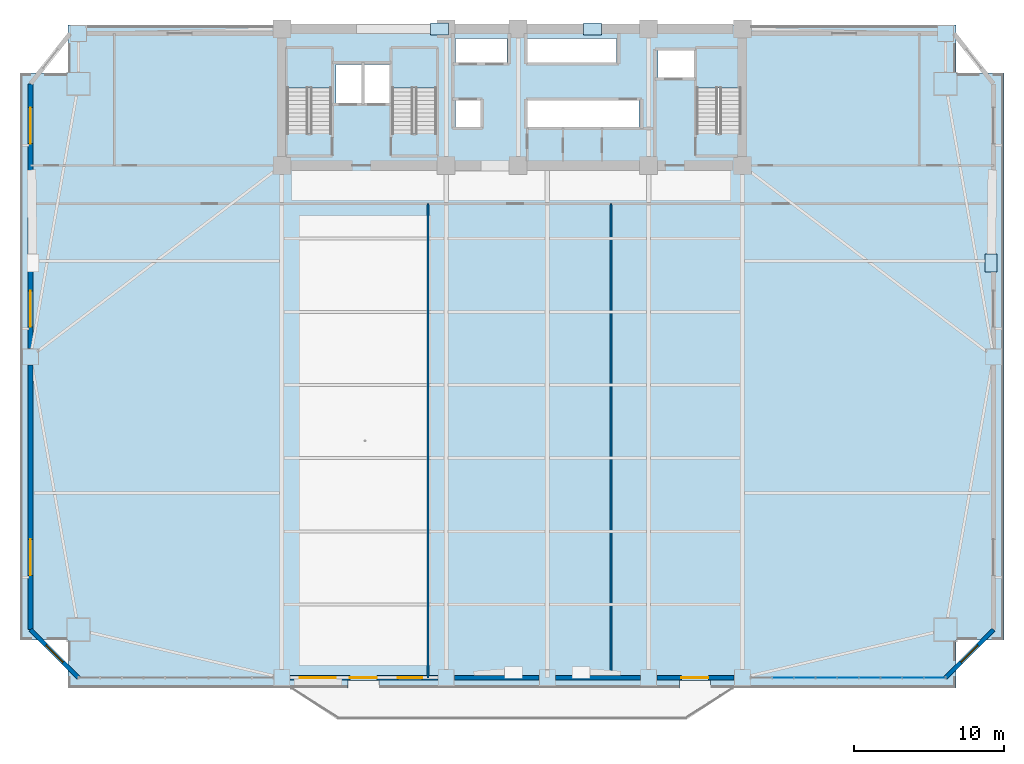
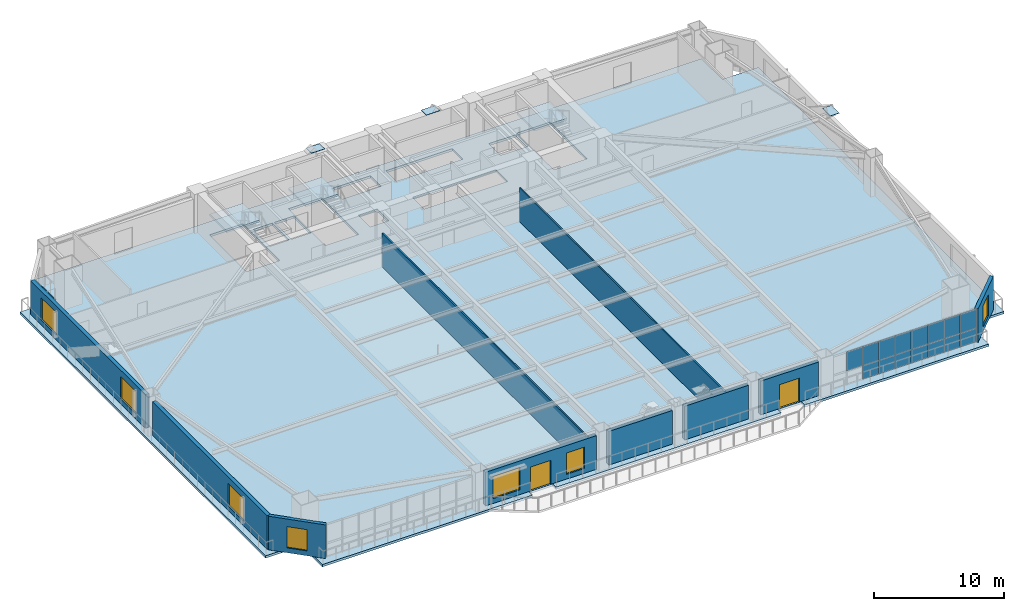
# One storey, part 8 of 17: 18 plates, 10 walls, 7 windows, 4 slabs, 2 doors, 9 openings, 4 elements without a shape of their own.
"""IFC4 building model written with IfcOpenShell, lengths in metres."""

from ifc_helpers import new_model, si_unit, direction, frame, frame_2d, origin, origin_2d, place, context, subcontext, project, spatial, polyline, rectangle, outline, extrude, source, transform, mapped, material, layer, layer_set, type_object, element, fill, aggregate, save


model = new_model("IFC4")

# Units and contexts
model_context = context("Model", 3, precision=1e-05, world=origin(), true_north=direction((0.0, 1.0)))
body_context = subcontext(model_context, "Body", "Model", "MODEL_VIEW")
ifc_project = project(units=[si_unit("LENGTHUNIT", "METRE"), si_unit("AREAUNIT", "SQUARE_METRE"), si_unit("VOLUMEUNIT", "CUBIC_METRE"), si_unit("PLANEANGLEUNIT", "RADIAN"), si_unit("MASSUNIT", "GRAM", prefix="KILO")], contexts=[model_context])

# Site, building, storey
site_placement = place(None, origin())
site = spatial("IfcSite", under=ifc_project, at=site_placement, CompositionType="ELEMENT")
building_placement = place(site_placement, origin())
building = spatial("IfcBuilding", under=site, at=building_placement, Name="Giltprow Tower", CompositionType="ELEMENT")
storey_placement = place(building_placement, frame((0.0, 0.0, 29.300048828125)))
storey = spatial("IfcBuildingStorey", under=building, at=storey_placement, Name="L07", CompositionType="ELEMENT", Elevation=29.300048828125)

# Slab
ifc_material_1 = material(Name="Concrete C40", Category="concrete")
ifc_layer_1 = layer(ifc_material_1, 0.219970703125, Name="Concrete C40")
ifc_layer_set_1 = layer_set([ifc_layer_1], Name="Concrete C40")
slab_type_1 = type_object("IfcSlabType", Name="SLB-OFF-220", PredefinedType="FLOOR", material=ifc_layer_set_1)
slab_1_placement = place(storey_placement, frame((0.0, 0.0, -0.219970703125)))
element("IfcSlab", 1, at=slab_1_placement, inside=storey, type_object=slab_type_1, Name="L07 Structural Composite Floor Slab", PredefinedType="FLOOR", context=body_context, shape_type="SweptSolid", body=[
    extrude(outline(polyline([(5.60009765625, 2.60009765625), (5.60009765625, 5.800048828125), (2.39990234375, 5.800048828125), (2.39990234375, 43.60009765625), (5.60009765625, 43.60009765625), (5.60009765625, 46.800048828125), (64.800048828125, 46.800048828125), (64.800048828125, 43.60009765625), (68.0, 43.60009765625), (68.0, 5.800048828125), (64.800048828125, 5.800048828125), (64.800048828125, 2.60009765625), (48.449951171875, 2.60009765625), (48.449951171875, 3.1201171875), (46.35009765625, 3.1201171875), (46.35009765625, 2.60009765625), (26.35009765625, 2.60009765625), (26.35009765625, 3.1201171875), (24.25, 3.1201171875), (24.25, 2.60009765625), (5.60009765625, 2.60009765625)]), holes=[polyline([(33.10009765625, 41.800048828125), (31.419921875, 41.800048828125), (31.419921875, 40.0), (33.10009765625, 40.0), (33.10009765625, 41.800048828125)]), polyline([(23.159912109375, 39.570068359375), (23.159912109375, 45.25), (20.199951171875, 45.25), (20.199951171875, 39.570068359375), (23.159912109375, 39.570068359375)]), polyline([(30.159912109375, 45.25), (27.199951171875, 45.25), (27.199951171875, 39.570068359375), (30.159912109375, 39.570068359375), (30.159912109375, 45.25)]), polyline([(25.169921875, 41.60009765625), (25.169921875, 44.199951171875), (23.449951171875, 44.199951171875), (23.449951171875, 41.60009765625), (25.169921875, 41.60009765625)]), polyline([(27.10009765625, 41.60009765625), (27.10009765625, 44.199951171875), (25.35009765625, 44.199951171875), (25.35009765625, 41.60009765625), (27.10009765625, 41.60009765625)]), polyline([(43.659912109375, 40.0), (43.659912109375, 41.800048828125), (36.239990234375, 41.800048828125), (36.239990234375, 40.0), (43.659912109375, 40.0)]), polyline([(50.4599609375, 39.570068359375), (50.4599609375, 45.25), (47.5, 45.25), (47.5, 39.570068359375), (50.4599609375, 39.570068359375)]), polyline([(47.3798828125, 45.10009765625), (44.919921875, 45.10009765625), (44.919921875, 43.300048828125), (47.3798828125, 43.300048828125), (47.3798828125, 45.10009765625)]), polyline([(34.8798828125, 44.300048828125), (34.8798828125, 45.919921875), (31.419921875, 45.919921875), (31.419921875, 44.300048828125), (34.8798828125, 44.300048828125)]), polyline([(42.169921875, 44.300048828125), (42.169921875, 45.919921875), (36.239990234375, 45.919921875), (36.239990234375, 44.300048828125), (42.169921875, 44.300048828125)])]), origin(), (0.0, 0.0, 1.0), 0.219970703125),
])

# Stair, slab
stair_type_1 = type_object("IfcStairType", Name="STR-ST-1", PredefinedType="HALF_TURN_STAIR", material=ifc_material_1)
stair_1_placement = place(storey_placement, origin())
stair_1 = element("IfcStair", 2, at=stair_1_placement, inside=storey, type_object=stair_type_1, Name="L07 Core Exit Stair ST-1", PredefinedType="HALF_TURN_STAIR")
ifc_layer_2 = layer(ifc_material_1, 0.179931640625, Name="Concrete C40")
ifc_layer_set_2 = layer_set([ifc_layer_2], Name="Concrete C40")
slab_type_2 = type_object("IfcSlabType", Name="SLD-ST-1", PredefinedType="LANDING", material=ifc_layer_set_2)
slab_2_placement = place(storey_placement, frame((0.0, 0.0, 1.77001953125)))
slab_2 = element("IfcSlab", 3, at=slab_2_placement, type_object=slab_type_2, Name="ST-1 landing 1", PredefinedType="LANDING", context=body_context, shape_type="SweptSolid", body=[
    extrude(outline(polyline([(23.159912109375, 42.6298828125), (23.159912109375, 45.25), (20.199951171875, 45.25), (20.199951171875, 42.6298828125), (23.159912109375, 42.6298828125)])), origin(), (0.0, 0.0, 1.0), 0.179931640625),
])
aggregate(stair_1, [slab_2])

stair_type_2 = type_object("IfcStairType", Name="STR-ST-2", PredefinedType="HALF_TURN_STAIR", material=ifc_material_1)
stair_2_placement = place(storey_placement, origin())
stair_2 = element("IfcStair", 4, at=stair_2_placement, inside=storey, type_object=stair_type_2, Name="L07 Core Exit Stair ST-2", PredefinedType="HALF_TURN_STAIR")
ifc_layer_3 = layer(ifc_material_1, 0.18798828125, Name="Concrete C40")
ifc_layer_set_3 = layer_set([ifc_layer_3], Name="Concrete C40")
slab_type_3 = type_object("IfcSlabType", Name="SLD-ST-2", PredefinedType="LANDING", material=ifc_layer_set_3)
slab_3_placement = place(storey_placement, frame((0.0, 0.0, 1.761962890625)))
slab_3 = element("IfcSlab", 5, at=slab_3_placement, type_object=slab_type_3, Name="ST-2 landing 1", PredefinedType="LANDING", context=body_context, shape_type="SweptSolid", body=[
    extrude(outline(polyline([(30.159912109375, 42.6298828125), (30.159912109375, 45.25), (27.199951171875, 45.25), (27.199951171875, 42.6298828125), (30.159912109375, 42.6298828125)])), origin(), (0.0, 0.0, 1.0), 0.18798828125),
])
aggregate(stair_2, [slab_3])

stair_type_3 = type_object("IfcStairType", Name="STR-ST-3", PredefinedType="HALF_TURN_STAIR", material=ifc_material_1)
stair_3_placement = place(storey_placement, origin())
stair_3 = element("IfcStair", 6, at=stair_3_placement, inside=storey, type_object=stair_type_3, Name="L07 Core Exit Stair ST-3", PredefinedType="HALF_TURN_STAIR")
ifc_layer_4 = layer(ifc_material_1, 0.196044921875, Name="Concrete C40")
ifc_layer_set_4 = layer_set([ifc_layer_4], Name="Concrete C40")
slab_type_4 = type_object("IfcSlabType", Name="SLD-ST-3", PredefinedType="LANDING", material=ifc_layer_set_4)
slab_4_placement = place(storey_placement, frame((0.0, 0.0, 1.75390625)))
slab_4 = element("IfcSlab", 7, at=slab_4_placement, type_object=slab_type_4, Name="ST-3 landing 1", PredefinedType="LANDING", context=body_context, shape_type="SweptSolid", body=[
    extrude(outline(polyline([(50.4599609375, 42.6298828125), (50.4599609375, 45.25), (47.5, 45.25), (47.5, 42.6298828125), (50.4599609375, 42.6298828125)])), origin(), (0.0, 0.0, 1.0), 0.196044921875),
])
aggregate(stair_3, [slab_4])

# Plates
ifc_material_2 = material(Name="Structural steel Q420GJC", Category="steel")
plate_type_1 = type_object("IfcPlateType", Name="PLT-CAP-SEAL", PredefinedType="USERDEFINED", material=ifc_material_2)
shared_shape_1 = source(origin(), body_context, "Body", "SweptSolid", [
    extrude(rectangle(XDim=1.199951171875, YDim=0.800048828125, at=origin_2d()), origin(), (0.0, 0.0, 1.0), 0.034912109375),
])
for number, where, z_axis, x_axis, name in (
    (8, (30.35009765625, 46.550048828125, 3.74267578125), (0.0, 0.0, 1.0), (1.0, 0.0, 0.0), "Mega-Brace Node L07-N-LB"),
    (9, (40.5830078125, 46.550048828125, 3.74267578125), (0.0, 0.0, 1.0), (1.0, 0.0, 0.0), "Mega-Brace Node L07-N-RB"),
    (10, (67.14306640625, 30.94189453125, 3.88232421875), (0.0, 0.0, 1.0), (0.0, 1.0, 0.0), "Mega-Brace Node L07-E-RB"),
):
    element("IfcPlate", number, at=place(storey_placement, frame(where, z_axis=z_axis, x_axis=x_axis)), inside=storey, type_object=plate_type_1, Name=name, ObjectType="SPLICE", PredefinedType="USERDEFINED", context=body_context, shape_type="MappedRepresentation", body=[
        mapped(shared_shape_1, transform((0.0, 0.0, 0.0), x_axis=(1.0, 0.0, 0.0), y_axis=(0.0, 1.0, 0.0), z_axis=(0.0, 0.0, 1.0), scale=1.0)),
    ])

# Curtain wall, plates
ifc_material_3 = material(Name="Anodized bronze", Category="metal")
ifc_layer_5 = layer(ifc_material_3, 0.179931640625, Name="Anodized bronze")
ifc_layer_set_5 = layer_set([ifc_layer_5], Name="Anodized bronze")
curtain_wall_type = type_object("IfcCurtainWallType", Name="CW-OFF-RECESSED", PredefinedType="NOTDEFINED", material=ifc_layer_set_5)
curtain_wall_placement = place(storey_placement, origin())
curtain_wall = element("IfcCurtainWall", 11, at=curtain_wall_placement, inside=storey, type_object=curtain_wall_type, Name="L07 South Recessed Curtain Wall 6", PredefinedType="NOTDEFINED")
ifc_material_4 = material(Name="Insulated glass", Category="glass")
plate_type_2 = type_object("IfcPlateType", Name="CW-PANEL-IGU-28", PredefinedType="CURTAIN_PANEL", material=ifc_material_4)
shared_shape_2 = source(origin(), body_context, "Body", "SweptSolid", [
    extrude(rectangle(XDim=1.4140625, YDim=0.028076171875, at=origin_2d()), origin(), (0.0, 0.0, 1.0), 1.259033203125),
])
plate_1_placement = place(storey_placement, frame((54.7109375, 3.300048828125, 0.05322265625), z_axis=(0.0, 0.0, 1.0), x_axis=(1.0, 0.0, 0.0)))
plate_1 = element("IfcPlate", 12, at=plate_1_placement, type_object=plate_type_2, Name="L07 South Recessed Curtain Wall 6 Glazing Panel 3-1", PredefinedType="CURTAIN_PANEL", context=body_context, shape_type="MappedRepresentation", body=[
    mapped(shared_shape_2, transform((0.0, 0.0, 0.0), x_axis=(1.0, 0.0, 0.0), y_axis=(0.0, 1.0, 0.0), z_axis=(0.0, 0.0, 1.0), scale=1.0)),
])
plate_2_placement = place(storey_placement, frame((56.156005859375, 3.300048828125, 0.05322265625), z_axis=(0.0, 0.0, 1.0), x_axis=(1.0, 0.0, 0.0)))
plate_2 = element("IfcPlate", 13, at=plate_2_placement, type_object=plate_type_2, Name="L07 South Recessed Curtain Wall 6 Glazing Panel 4-1", PredefinedType="CURTAIN_PANEL", context=body_context, shape_type="MappedRepresentation", body=[
    mapped(shared_shape_2, transform((0.0, 0.0, 0.0), x_axis=(1.0, 0.0, 0.0), y_axis=(0.0, 1.0, 0.0), z_axis=(0.0, 0.0, 1.0), scale=1.0)),
])
plate_3_placement = place(storey_placement, frame((57.60009765625, 3.300048828125, 0.05322265625), z_axis=(0.0, 0.0, 1.0), x_axis=(1.0, 0.0, 0.0)))
plate_3 = element("IfcPlate", 14, at=plate_3_placement, type_object=plate_type_2, Name="L07 South Recessed Curtain Wall 6 Glazing Panel 5-1", PredefinedType="CURTAIN_PANEL", context=body_context, shape_type="MappedRepresentation", body=[
    mapped(shared_shape_2, transform((0.0, 0.0, 0.0), x_axis=(1.0, 0.0, 0.0), y_axis=(0.0, 1.0, 0.0), z_axis=(0.0, 0.0, 1.0), scale=1.0)),
])
plate_4_placement = place(storey_placement, frame((59.0439453125, 3.300048828125, 0.05322265625), z_axis=(0.0, 0.0, 1.0), x_axis=(1.0, 0.0, 0.0)))
plate_4 = element("IfcPlate", 15, at=plate_4_placement, type_object=plate_type_2, Name="L07 South Recessed Curtain Wall 6 Glazing Panel 6-1", PredefinedType="CURTAIN_PANEL", context=body_context, shape_type="MappedRepresentation", body=[
    mapped(shared_shape_2, transform((0.0, 0.0, 0.0), x_axis=(1.0, 0.0, 0.0), y_axis=(0.0, 1.0, 0.0), z_axis=(0.0, 0.0, 1.0), scale=1.0)),
])
plate_5_placement = place(storey_placement, frame((60.489013671875, 3.300048828125, 0.05322265625), z_axis=(0.0, 0.0, 1.0), x_axis=(1.0, 0.0, 0.0)))
plate_5 = element("IfcPlate", 16, at=plate_5_placement, type_object=plate_type_2, Name="L07 South Recessed Curtain Wall 6 Glazing Panel 7-1", PredefinedType="CURTAIN_PANEL", context=body_context, shape_type="MappedRepresentation", body=[
    mapped(shared_shape_2, transform((0.0, 0.0, 0.0), x_axis=(1.0, 0.0, 0.0), y_axis=(0.0, 1.0, 0.0), z_axis=(0.0, 0.0, 1.0), scale=1.0)),
])
plate_6_placement = place(storey_placement, frame((61.93310546875, 3.300048828125, 0.05322265625), z_axis=(0.0, 0.0, 1.0), x_axis=(1.0, 0.0, 0.0)))
plate_6 = element("IfcPlate", 17, at=plate_6_placement, type_object=plate_type_2, Name="L07 South Recessed Curtain Wall 6 Glazing Panel 8-1", PredefinedType="CURTAIN_PANEL", context=body_context, shape_type="MappedRepresentation", body=[
    mapped(shared_shape_2, transform((0.0, 0.0, 0.0), x_axis=(1.0, 0.0, 0.0), y_axis=(0.0, 1.0, 0.0), z_axis=(0.0, 0.0, 1.0), scale=1.0)),
])
plate_7_placement = place(storey_placement, frame((63.3779296875, 3.300048828125, 0.05322265625), z_axis=(0.0, 0.0, 1.0), x_axis=(1.0, 0.0, 0.0)))
plate_7 = element("IfcPlate", 18, at=plate_7_placement, type_object=plate_type_2, Name="L07 South Recessed Curtain Wall 6 Glazing Panel 9-1", PredefinedType="CURTAIN_PANEL", context=body_context, shape_type="MappedRepresentation", body=[
    mapped(shared_shape_2, transform((0.0, 0.0, 0.0), x_axis=(1.0, 0.0, 0.0), y_axis=(0.0, 1.0, 0.0), z_axis=(0.0, 0.0, 1.0), scale=1.0)),
])
shared_shape_3 = source(origin(), body_context, "Body", "SweptSolid", [
    extrude(rectangle(XDim=1.4140625, YDim=0.028076171875, at=origin_2d()), origin(), (0.0, 0.0, 1.0), 1.764892578125),
])
plate_8_placement = place(storey_placement, frame((53.26708984375, 3.300048828125, 1.34033203125), z_axis=(0.0, 0.0, 1.0), x_axis=(1.0, 0.0, 0.0)))
plate_8 = element("IfcPlate", 19, at=plate_8_placement, type_object=plate_type_2, Name="L07 South Recessed Curtain Wall 6 Glazing Panel 2-2", PredefinedType="CURTAIN_PANEL", context=body_context, shape_type="MappedRepresentation", body=[
    mapped(shared_shape_3, transform((0.0, 0.0, 0.0), x_axis=(1.0, 0.0, 0.0), y_axis=(0.0, 1.0, 0.0), z_axis=(0.0, 0.0, 1.0), scale=1.0)),
])
plate_9_placement = place(storey_placement, frame((54.7109375, 3.300048828125, 1.34033203125), z_axis=(0.0, 0.0, 1.0), x_axis=(1.0, 0.0, 0.0)))
plate_9 = element("IfcPlate", 20, at=plate_9_placement, type_object=plate_type_2, Name="L07 South Recessed Curtain Wall 6 Glazing Panel 3-2", PredefinedType="CURTAIN_PANEL", context=body_context, shape_type="MappedRepresentation", body=[
    mapped(shared_shape_3, transform((0.0, 0.0, 0.0), x_axis=(1.0, 0.0, 0.0), y_axis=(0.0, 1.0, 0.0), z_axis=(0.0, 0.0, 1.0), scale=1.0)),
])
plate_10_placement = place(storey_placement, frame((56.156005859375, 3.300048828125, 1.34033203125), z_axis=(0.0, 0.0, 1.0), x_axis=(1.0, 0.0, 0.0)))
plate_10 = element("IfcPlate", 21, at=plate_10_placement, type_object=plate_type_2, Name="L07 South Recessed Curtain Wall 6 Glazing Panel 4-2", PredefinedType="CURTAIN_PANEL", context=body_context, shape_type="MappedRepresentation", body=[
    mapped(shared_shape_3, transform((0.0, 0.0, 0.0), x_axis=(1.0, 0.0, 0.0), y_axis=(0.0, 1.0, 0.0), z_axis=(0.0, 0.0, 1.0), scale=1.0)),
])
plate_11_placement = place(storey_placement, frame((57.60009765625, 3.300048828125, 1.34033203125), z_axis=(0.0, 0.0, 1.0), x_axis=(1.0, 0.0, 0.0)))
plate_11 = element("IfcPlate", 22, at=plate_11_placement, type_object=plate_type_2, Name="L07 South Recessed Curtain Wall 6 Glazing Panel 5-2", PredefinedType="CURTAIN_PANEL", context=body_context, shape_type="MappedRepresentation", body=[
    mapped(shared_shape_3, transform((0.0, 0.0, 0.0), x_axis=(1.0, 0.0, 0.0), y_axis=(0.0, 1.0, 0.0), z_axis=(0.0, 0.0, 1.0), scale=1.0)),
])
plate_12_placement = place(storey_placement, frame((59.0439453125, 3.300048828125, 1.34033203125), z_axis=(0.0, 0.0, 1.0), x_axis=(1.0, 0.0, 0.0)))
plate_12 = element("IfcPlate", 23, at=plate_12_placement, type_object=plate_type_2, Name="L07 South Recessed Curtain Wall 6 Glazing Panel 6-2", PredefinedType="CURTAIN_PANEL", context=body_context, shape_type="MappedRepresentation", body=[
    mapped(shared_shape_3, transform((0.0, 0.0, 0.0), x_axis=(1.0, 0.0, 0.0), y_axis=(0.0, 1.0, 0.0), z_axis=(0.0, 0.0, 1.0), scale=1.0)),
])
plate_13_placement = place(storey_placement, frame((60.489013671875, 3.300048828125, 1.34033203125), z_axis=(0.0, 0.0, 1.0), x_axis=(1.0, 0.0, 0.0)))
plate_13 = element("IfcPlate", 24, at=plate_13_placement, type_object=plate_type_2, Name="L07 South Recessed Curtain Wall 6 Glazing Panel 7-2", PredefinedType="CURTAIN_PANEL", context=body_context, shape_type="MappedRepresentation", body=[
    mapped(shared_shape_3, transform((0.0, 0.0, 0.0), x_axis=(1.0, 0.0, 0.0), y_axis=(0.0, 1.0, 0.0), z_axis=(0.0, 0.0, 1.0), scale=1.0)),
])
plate_14_placement = place(storey_placement, frame((61.93310546875, 3.300048828125, 1.34033203125), z_axis=(0.0, 0.0, 1.0), x_axis=(1.0, 0.0, 0.0)))
plate_14 = element("IfcPlate", 25, at=plate_14_placement, type_object=plate_type_2, Name="L07 South Recessed Curtain Wall 6 Glazing Panel 8-2", PredefinedType="CURTAIN_PANEL", context=body_context, shape_type="MappedRepresentation", body=[
    mapped(shared_shape_3, transform((0.0, 0.0, 0.0), x_axis=(1.0, 0.0, 0.0), y_axis=(0.0, 1.0, 0.0), z_axis=(0.0, 0.0, 1.0), scale=1.0)),
])
plate_15_placement = place(storey_placement, frame((63.3779296875, 3.300048828125, 1.34033203125), z_axis=(0.0, 0.0, 1.0), x_axis=(1.0, 0.0, 0.0)))
plate_15 = element("IfcPlate", 26, at=plate_15_placement, type_object=plate_type_2, Name="L07 South Recessed Curtain Wall 6 Glazing Panel 9-2", PredefinedType="CURTAIN_PANEL", context=body_context, shape_type="MappedRepresentation", body=[
    mapped(shared_shape_3, transform((0.0, 0.0, 0.0), x_axis=(1.0, 0.0, 0.0), y_axis=(0.0, 1.0, 0.0), z_axis=(0.0, 0.0, 1.0), scale=1.0)),
])
aggregate(curtain_wall, [plate_8, plate_1, plate_9, plate_2, plate_10, plate_3, plate_11, plate_4, plate_12, plate_5, plate_13, plate_6, plate_14, plate_7, plate_15])

# Wall, opening, window
ifc_material_5 = material(Name="Precast concrete C40", Category="concrete")
ifc_layer_6 = layer(ifc_material_5, 0.300048828125, Name="Precast concrete C40")
ifc_layer_set_6 = layer_set([ifc_layer_6], Name="Precast concrete C40")
wall_type_1 = type_object("IfcWallType", Name="EW-NOTCH-CHAMFER-300", PredefinedType="SOLIDWALL", material=ifc_layer_set_6)
wall_1_placement = place(storey_placement, frame((3.10009765625, 6.5, 0.0), z_axis=(0.0, 0.0, 1.0), x_axis=(0.707106781187, -0.707106781187, 0.0)))
wall_1 = element("IfcWall", 27, at=wall_1_placement, inside=storey, type_object=wall_type_1, Name="L07 Corner Notch Wall SW", PredefinedType="SOLIDWALL", context=body_context, shape_type="SweptSolid", body=[
    extrude(rectangle(XDim=4.525390625, YDim=0.300048828125, at=frame_2d((2.2626953125, 0.0))), origin(), (0.0, 0.0, 1.0), 3.159912109375),
])
opening_1_placement = place(wall_1_placement, frame((1.462890625, 0.0, 0.449951171875)))
opening_1 = element("IfcOpeningElement", 28, at=opening_1_placement, cuts=wall_1, Name="Opening WN17", PredefinedType="OPENING", context=body_context, shape_type="SweptSolid", body=[
    extrude(rectangle(XDim=1.60009765625, YDim=2.0, at=frame_2d((0.800048828125, 1.0))), frame((0.0, 0.159912109375, 0.0), z_axis=(0.0, -1.0, 0.0), x_axis=(1.0, 0.0, 0.0)), (0.0, 0.0, 1.0), 0.320068359375),
])
window_type_1 = type_object("IfcWindowType", Name="WN-COR-1600x2000", PartitioningType="SINGLE_PANEL", PredefinedType="WINDOW", material=ifc_material_4)
shared_shape_4 = source(origin(), body_context, "Body", "SweptSolid", [
    extrude(rectangle(XDim=1.60009765625, YDim=2.0, at=frame_2d((0.800048828125, 1.0))), frame((0.0, 0.030029296875, 0.0), z_axis=(0.0, -1.0, 0.0), x_axis=(1.0, 0.0, 0.0)), (0.0, 0.0, 1.0), 0.06005859375),
])
window_1_placement = place(opening_1_placement, origin())
window_1 = element("IfcWindow", 29, at=window_1_placement, inside=storey, type_object=window_type_1, Name="L07 Corner Notch Window SW", OverallHeight=2.0, OverallWidth=1.60009765625, PartitioningType="SINGLE_PANEL", PredefinedType="WINDOW", context=body_context, shape_type="MappedRepresentation", body=[
    mapped(shared_shape_4, transform((0.0, 0.0, 0.0), x_axis=(1.0, 0.0, 0.0), y_axis=(0.0, 1.0, 0.0), z_axis=(0.0, 0.0, 1.0), scale=1.0)),
])
fill(opening_1, window_1)

wall_2_placement = place(storey_placement, frame((64.10009765625, 3.300048828125, 0.0), z_axis=(0.0, 0.0, 1.0), x_axis=(0.707106781187, 0.707106781187, 0.0)))
wall_2 = element("IfcWall", 30, at=wall_2_placement, inside=storey, type_object=wall_type_1, Name="L07 Corner Notch Wall SE", PredefinedType="SOLIDWALL", context=body_context, shape_type="SweptSolid", body=[
    extrude(rectangle(XDim=4.525390625, YDim=0.300048828125, at=frame_2d((2.2626953125, 0.0))), origin(), (0.0, 0.0, 1.0), 3.159912109375),
])
opening_2_placement = place(wall_2_placement, frame((1.462890625, 0.0, 0.449951171875)))
opening_2 = element("IfcOpeningElement", 31, at=opening_2_placement, cuts=wall_2, Name="Opening WN17", PredefinedType="OPENING", context=body_context, shape_type="SweptSolid", body=[
    extrude(rectangle(XDim=1.60009765625, YDim=2.0, at=frame_2d((0.800048828125, 1.0))), frame((0.0, 0.159912109375, 0.0), z_axis=(0.0, -1.0, 0.0), x_axis=(1.0, 0.0, 0.0)), (0.0, 0.0, 1.0), 0.320068359375),
])
window_2_placement = place(opening_2_placement, origin())
window_2 = element("IfcWindow", 32, at=window_2_placement, inside=storey, type_object=window_type_1, Name="L07 Corner Notch Window SE", OverallHeight=2.0, OverallWidth=1.60009765625, PartitioningType="SINGLE_PANEL", PredefinedType="WINDOW", context=body_context, shape_type="MappedRepresentation", body=[
    mapped(shared_shape_4, transform((0.0, 0.0, 0.0), x_axis=(1.0, 0.0, 0.0), y_axis=(0.0, 1.0, 0.0), z_axis=(0.0, 0.0, 1.0), scale=1.0)),
])
fill(opening_2, window_2)

# Wall, openings, windows, door
ifc_layer_7 = layer(ifc_material_5, 0.320068359375, Name="Precast concrete C40")
ifc_layer_set_7 = layer_set([ifc_layer_7], Name="Precast concrete C40")
wall_type_2 = type_object("IfcWallType", Name="EW-TOW-STONE-320", PredefinedType="SOLIDWALL", material=ifc_layer_set_7)
wall_3_placement = place(storey_placement, frame((20.39990234375, 3.300048828125, 0.0), z_axis=(0.0, 0.0, 1.0), x_axis=(1.0, 0.0, 0.0)))
wall_3 = element("IfcWall", 33, at=wall_3_placement, inside=storey, type_object=wall_type_2, Name="L07 South Expressed Frame Wall 2", PredefinedType="SOLIDWALL", context=body_context, shape_type="SweptSolid", body=[
    extrude(rectangle(XDim=9.85009765625, YDim=0.320068359375, at=frame_2d((4.925048828125, 0.0))), origin(), (0.0, 0.0, 1.0), 3.159912109375),
])
opening_3_placement = place(wall_3_placement, frame((4.0, 0.0, 0.0)))
opening_3 = element("IfcOpeningElement", 34, at=opening_3_placement, cuts=wall_3, Name="Opening ED25", PredefinedType="OPENING", context=body_context, shape_type="SweptSolid", body=[
    extrude(rectangle(XDim=1.800048828125, YDim=2.25, at=frame_2d((0.89990234375, 1.125))), frame((0.0, 0.169921875, 0.0), z_axis=(0.0, -1.0, 0.0), x_axis=(1.0, 0.0, 0.0)), (0.0, 0.0, 1.0), 0.340087890625),
])
opening_4_placement = place(wall_3_placement, frame((0.64990234375, 0.0, 0.449951171875)))
opening_4 = element("IfcOpeningElement", 35, at=opening_4_placement, cuts=wall_3, Name="Opening WN29", PredefinedType="OPENING", context=body_context, shape_type="SweptSolid", body=[
    extrude(rectangle(XDim=2.39990234375, YDim=2.10009765625, at=frame_2d((1.199951171875, 1.050048828125))), frame((0.0, 0.169921875, 0.0), z_axis=(0.0, -1.0, 0.0), x_axis=(1.0, 0.0, 0.0)), (0.0, 0.0, 1.0), 0.340087890625),
])
opening_5_placement = place(wall_3_placement, frame((7.199951171875, 0.0, 0.449951171875)))
opening_5 = element("IfcOpeningElement", 36, at=opening_5_placement, cuts=wall_3, Name="Opening WN17", PredefinedType="OPENING", context=body_context, shape_type="SweptSolid", body=[
    extrude(rectangle(XDim=1.60009765625, YDim=2.0, at=frame_2d((0.800048828125, 1.0))), frame((0.0, 0.169921875, 0.0), z_axis=(0.0, -1.0, 0.0), x_axis=(1.0, 0.0, 0.0)), (0.0, 0.0, 1.0), 0.340087890625),
])
window_type_2 = type_object("IfcWindowType", Name="WN-OFF-2400x2100", PartitioningType="DOUBLE_PANEL_VERTICAL", PredefinedType="WINDOW", material=ifc_material_4)
shared_shape_5 = source(origin(), body_context, "Body", "SweptSolid", [
    extrude(rectangle(XDim=2.39990234375, YDim=2.10009765625, at=frame_2d((1.199951171875, 1.050048828125))), frame((0.0, 0.030029296875, 0.0), z_axis=(0.0, -1.0, 0.0), x_axis=(1.0, 0.0, 0.0)), (0.0, 0.0, 1.0), 0.06005859375),
])
window_3_placement = place(opening_4_placement, origin())
window_3 = element("IfcWindow", 37, at=window_3_placement, inside=storey, type_object=window_type_2, Name="L07 South Window 2A", OverallHeight=2.10009765625, OverallWidth=2.39990234375, PartitioningType="SINGLE_PANEL", PredefinedType="WINDOW", context=body_context, shape_type="MappedRepresentation", body=[
    mapped(shared_shape_5, transform((0.0, 0.0, 0.0), x_axis=(1.0, 0.0, 0.0), y_axis=(0.0, 1.0, 0.0), z_axis=(0.0, 0.0, 1.0), scale=1.0)),
])
fill(opening_4, window_3)
window_4_placement = place(opening_5_placement, origin())
window_4 = element("IfcWindow", 38, at=window_4_placement, inside=storey, type_object=window_type_1, Name="L07 South Window 2B", OverallHeight=2.0, OverallWidth=1.60009765625, PartitioningType="SINGLE_PANEL", PredefinedType="WINDOW", context=body_context, shape_type="MappedRepresentation", body=[
    mapped(shared_shape_4, transform((0.0, 0.0, 0.0), x_axis=(1.0, 0.0, 0.0), y_axis=(0.0, 1.0, 0.0), z_axis=(0.0, 0.0, 1.0), scale=1.0)),
])
fill(opening_5, window_4)
ifc_material_6 = material(Name="Anodized bronze and glass", Category="glass")
door_type = type_object("IfcDoorType", Name="DR-BALC-SLIDE-1800", OperationType="SLIDING_TO_LEFT", PredefinedType="DOOR", material=ifc_material_6)
shared_shape_6 = source(origin(), body_context, "Body", "SweptSolid", [
    extrude(rectangle(XDim=1.800048828125, YDim=2.25, at=frame_2d((0.89990234375, 1.125))), frame((0.0, 0.02490234375, 0.0), z_axis=(0.0, -1.0, 0.0), x_axis=(1.0, 0.0, 0.0)), (0.0, 0.0, 1.0), 0.050048828125),
])
door_1_placement = place(opening_3_placement, origin())
door_1 = element("IfcDoor", 39, at=door_1_placement, inside=storey, type_object=door_type, Name="L07 Waterfront Balcony Sliding Door 1", OperationType="SLIDING_TO_LEFT", OverallHeight=2.25, OverallWidth=1.800048828125, PredefinedType="DOOR", context=body_context, shape_type="MappedRepresentation", body=[
    mapped(shared_shape_6, transform((0.0, 0.0, 0.0), x_axis=(1.0, 0.0, 0.0), y_axis=(0.0, 1.0, 0.0), z_axis=(0.0, 0.0, 1.0), scale=1.0)),
])
fill(opening_3, door_1)

# Walls
for number, where, z_axis, x_axis, name in (
    (40, (31.35009765625, 3.300048828125, 0.0), (0.0, 0.0, 1.0), (1.0, 0.0, 0.0), "L07 South Expressed Frame Wall 3"),
    (41, (38.10009765625, 3.300048828125, 0.0), (0.0, 0.0, 1.0), (1.0, 0.0, 0.0), "L07 South Expressed Frame Wall 4"),
):
    element("IfcWall", number, at=place(storey_placement, frame(where, z_axis=z_axis, x_axis=x_axis)), inside=storey, type_object=wall_type_2, Name=name, PredefinedType="SOLIDWALL", context=body_context, shape_type="SweptSolid", body=[
        extrude(rectangle(XDim=5.64990234375, YDim=0.320068359375, at=frame_2d((2.824951171875, 0.0))), origin(), (0.0, 0.0, 1.0), 3.159912109375),
    ])

# Wall, opening, door
wall_4_placement = place(storey_placement, frame((44.85009765625, 3.300048828125, 0.0), z_axis=(0.0, 0.0, 1.0), x_axis=(1.0, 0.0, 0.0)))
wall_4 = element("IfcWall", 42, at=wall_4_placement, inside=storey, type_object=wall_type_2, Name="L07 South Expressed Frame Wall 5", PredefinedType="SOLIDWALL", context=body_context, shape_type="SweptSolid", body=[
    extrude(rectangle(XDim=5.14990234375, YDim=0.320068359375, at=frame_2d((2.574951171875, 0.0))), origin(), (0.0, 0.0, 1.0), 3.159912109375),
])
opening_6_placement = place(wall_4_placement, frame((1.64990234375, 0.0, 0.0)))
opening_6 = element("IfcOpeningElement", 43, at=opening_6_placement, cuts=wall_4, Name="Opening ED25", PredefinedType="OPENING", context=body_context, shape_type="SweptSolid", body=[
    extrude(rectangle(XDim=1.800048828125, YDim=2.25, at=frame_2d((0.89990234375, 1.125))), frame((0.0, 0.169921875, 0.0), z_axis=(0.0, -1.0, 0.0), x_axis=(1.0, 0.0, 0.0)), (0.0, 0.0, 1.0), 0.340087890625),
])
door_2_placement = place(opening_6_placement, origin())
door_2 = element("IfcDoor", 44, at=door_2_placement, inside=storey, type_object=door_type, Name="L07 Waterfront Balcony Sliding Door 2", OperationType="SLIDING_TO_LEFT", OverallHeight=2.25, OverallWidth=1.800048828125, PredefinedType="DOOR", context=body_context, shape_type="MappedRepresentation", body=[
    mapped(shared_shape_6, transform((0.0, 0.0, 0.0), x_axis=(1.0, 0.0, 0.0), y_axis=(0.0, 1.0, 0.0), z_axis=(0.0, 0.0, 1.0), scale=1.0)),
])
fill(opening_6, door_2)

# Wall, opening, window
wall_5_placement = place(storey_placement, frame((3.10009765625, 6.5, 0.0), z_axis=(0.0, 0.0, 1.0), x_axis=(0.0, 1.0, 0.0)))
wall_5 = element("IfcWall", 45, at=wall_5_placement, inside=storey, type_object=wall_type_2, Name="L07 W Wing Masonry Wall 1", PredefinedType="SOLIDWALL", context=body_context, shape_type="SweptSolid", body=[
    extrude(rectangle(XDim=17.64990234375, YDim=0.320068359375, at=frame_2d((8.824951171875, 0.0))), origin(), (0.0, 0.0, 1.0), 3.159912109375),
])
opening_7_placement = place(wall_5_placement, frame((3.62890625, 0.0, 0.449951171875)))
opening_7 = element("IfcOpeningElement", 46, at=opening_7_placement, cuts=wall_5, Name="Opening WN29", PredefinedType="OPENING", context=body_context, shape_type="SweptSolid", body=[
    extrude(rectangle(XDim=2.39990234375, YDim=2.10009765625, at=frame_2d((1.199951171875, 1.050048828125))), frame((0.0, 0.169921875, 0.0), z_axis=(0.0, -1.0, 0.0), x_axis=(1.0, 0.0, 0.0)), (0.0, 0.0, 1.0), 0.340087890625),
])
window_5_placement = place(opening_7_placement, origin())
window_5 = element("IfcWindow", 47, at=window_5_placement, inside=storey, type_object=window_type_2, Name="L07 W Wing Window 1-1A", OverallHeight=2.10009765625, OverallWidth=2.39990234375, PartitioningType="SINGLE_PANEL", PredefinedType="WINDOW", context=body_context, shape_type="MappedRepresentation", body=[
    mapped(shared_shape_5, transform((0.0, 0.0, 0.0), x_axis=(1.0, 0.0, 0.0), y_axis=(0.0, 1.0, 0.0), z_axis=(0.0, 0.0, 1.0), scale=1.0)),
])
fill(opening_7, window_5)

# Wall, openings, windows
wall_6_placement = place(storey_placement, frame((3.10009765625, 25.25, 0.0), z_axis=(0.0, 0.0, 1.0), x_axis=(0.0, 1.0, 0.0)))
wall_6 = element("IfcWall", 48, at=wall_6_placement, inside=storey, type_object=wall_type_2, Name="L07 W Wing Masonry Wall 2", PredefinedType="SOLIDWALL", context=body_context, shape_type="SweptSolid", body=[
    extrude(rectangle(XDim=17.64990234375, YDim=0.320068359375, at=frame_2d((8.824951171875, 0.0))), origin(), (0.0, 0.0, 1.0), 3.159912109375),
])
opening_8_placement = place(wall_6_placement, frame((1.446044921875, 0.0, 0.449951171875)))
opening_8 = element("IfcOpeningElement", 49, at=opening_8_placement, cuts=wall_6, Name="Opening WN29", PredefinedType="OPENING", context=body_context, shape_type="SweptSolid", body=[
    extrude(rectangle(XDim=2.39990234375, YDim=2.10009765625, at=frame_2d((1.199951171875, 1.050048828125))), frame((0.0, 0.169921875, 0.0), z_axis=(0.0, -1.0, 0.0), x_axis=(1.0, 0.0, 0.0)), (0.0, 0.0, 1.0), 0.340087890625),
])
opening_9_placement = place(wall_6_placement, frame((13.659912109375, 0.0, 0.449951171875)))
opening_9 = element("IfcOpeningElement", 50, at=opening_9_placement, cuts=wall_6, Name="Opening WN29", PredefinedType="OPENING", context=body_context, shape_type="SweptSolid", body=[
    extrude(rectangle(XDim=2.39990234375, YDim=2.10009765625, at=frame_2d((1.199951171875, 1.050048828125))), frame((0.0, 0.169921875, 0.0), z_axis=(0.0, -1.0, 0.0), x_axis=(1.0, 0.0, 0.0)), (0.0, 0.0, 1.0), 0.340087890625),
])
window_6_placement = place(opening_8_placement, origin())
window_6 = element("IfcWindow", 51, at=window_6_placement, inside=storey, type_object=window_type_2, Name="L07 W Wing Window 2-1", OverallHeight=2.10009765625, OverallWidth=2.39990234375, PartitioningType="SINGLE_PANEL", PredefinedType="WINDOW", context=body_context, shape_type="MappedRepresentation", body=[
    mapped(shared_shape_5, transform((0.0, 0.0, 0.0), x_axis=(1.0, 0.0, 0.0), y_axis=(0.0, 1.0, 0.0), z_axis=(0.0, 0.0, 1.0), scale=1.0)),
])
fill(opening_8, window_6)
window_7_placement = place(opening_9_placement, origin())
window_7 = element("IfcWindow", 52, at=window_7_placement, inside=storey, type_object=window_type_2, Name="L07 W Wing Window 2-2", OverallHeight=2.10009765625, OverallWidth=2.39990234375, PartitioningType="SINGLE_PANEL", PredefinedType="WINDOW", context=body_context, shape_type="MappedRepresentation", body=[
    mapped(shared_shape_5, transform((0.0, 0.0, 0.0), x_axis=(1.0, 0.0, 0.0), y_axis=(0.0, 1.0, 0.0), z_axis=(0.0, 0.0, 1.0), scale=1.0)),
])
fill(opening_9, window_7)

# Walls
ifc_material_7 = material(Name="Gypsum stud partition", Category="gypsum")
ifc_layer_8 = layer(ifc_material_7, 0.1201171875, Name="Gypsum stud partition")
ifc_layer_set_8 = layer_set([ifc_layer_8], Name="Gypsum stud partition")
wall_type_3 = type_object("IfcWallType", Name="IW-ROOM-120", PredefinedType="PARTITIONING", material=ifc_layer_set_8)
for number, where, z_axis, x_axis, name in (
    (53, (29.60009765625, 3.300048828125, 0.0), (0.0, 0.0, 1.0), (0.0, 1.0, 0.0), "L07 Office Partition 1"),
    (54, (41.800048828125, 3.300048828125, 0.0), (0.0, 0.0, 1.0), (0.0, 1.0, 0.0), "L07 Office Partition 2"),
):
    element("IfcWall", number, at=place(storey_placement, frame(where, z_axis=z_axis, x_axis=x_axis)), inside=storey, type_object=wall_type_3, Name=name, PredefinedType="PARTITIONING", context=body_context, shape_type="SweptSolid", body=[
        extrude(rectangle(XDim=31.599853515625, YDim=0.1201171875, at=frame_2d((15.7998046875, 0.0))), origin(), (0.0, 0.0, 1.0), 3.1650390625),
    ])

save(model, "model.ifc")
